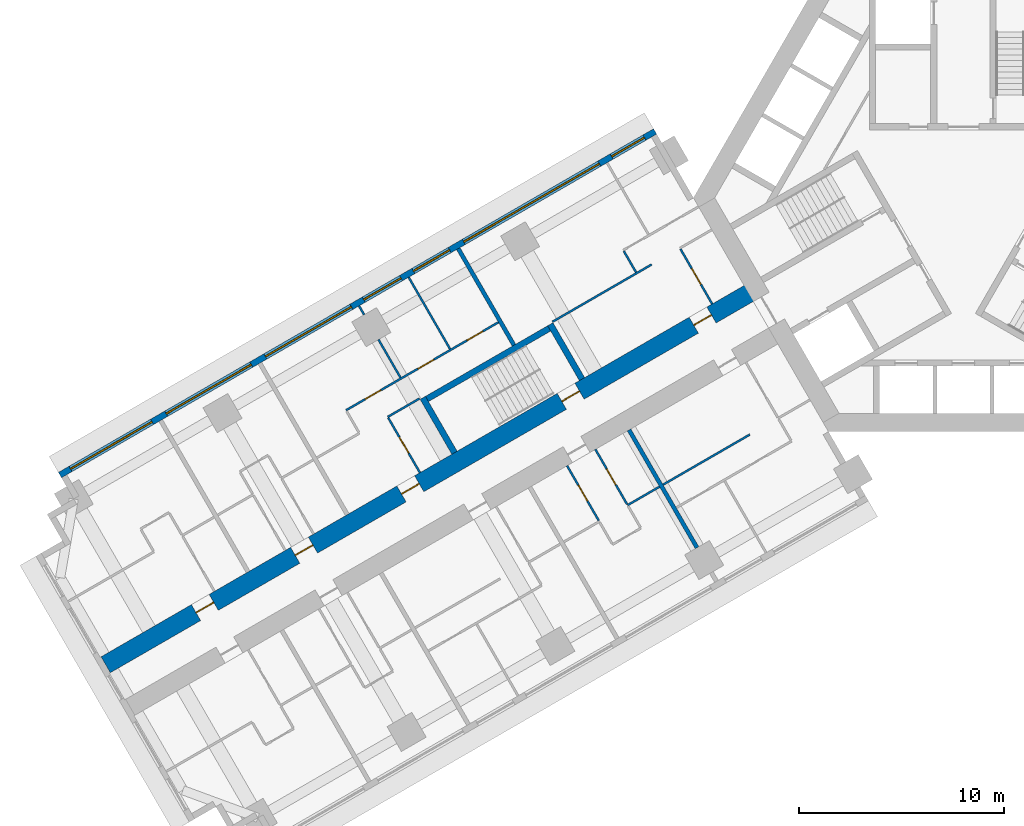
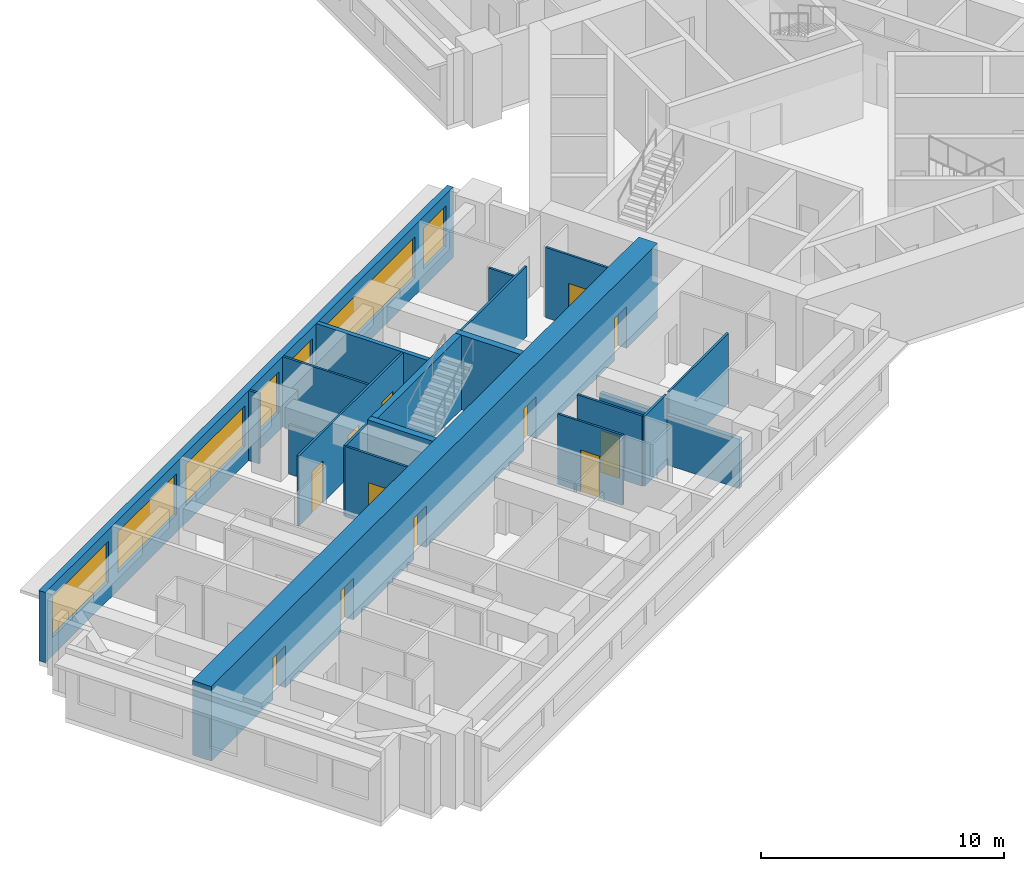
# One storey, part 5 of 16: 20 walls, 12 doors, 7 windows, 19 openings.
"""IFC4 building model written with IfcOpenShell, lengths in metres."""

from ifc_helpers import new_model, si_unit, direction, frame, frame_2d, origin, place, context, subcontext, project, spatial, rectangle, extrude, material, layer, layer_set, type_object, element, fill, save


model = new_model("IFC4")

# Units and contexts
model_context = context("Model", 3, precision=1e-05, world=origin(), true_north=direction((0.0, 1.0)))
body_context = subcontext(model_context, "Body", "Model", "MODEL_VIEW")
ifc_project = project(units=[si_unit("LENGTHUNIT", "METRE"), si_unit("AREAUNIT", "SQUARE_METRE"), si_unit("VOLUMEUNIT", "CUBIC_METRE"), si_unit("PLANEANGLEUNIT", "RADIAN"), si_unit("MASSUNIT", "GRAM", prefix="KILO")], contexts=[model_context])

# Site, building, storey
site_placement = place(None, origin())
site = spatial("IfcSite", under=ifc_project, at=site_placement, CompositionType="ELEMENT")
building_placement = place(site_placement, origin())
building = spatial("IfcBuilding", under=site, at=building_placement, Name="Impinga Residences", CompositionType="ELEMENT")
storey_placement = place(building_placement, frame((0.0, 0.0, 52.25)))
storey = spatial("IfcBuildingStorey", under=building, at=storey_placement, Name="L12", CompositionType="ELEMENT", Elevation=52.25)

# Wall, openings, doors
ifc_material_1 = material(Name="Concrete C70/85", Category="concrete")
ifc_layer_1 = layer(ifc_material_1, 0.89990234375)
ifc_layer_set_1 = layer_set([ifc_layer_1], Name="Concrete C70/85")
wall_type_1 = type_object("IfcWallType", Name="BW1 corridor buttress wall, L05 to L22 900", PredefinedType="SHEAR", material=ifc_layer_set_1)
wall_1_placement = place(storey_placement, frame((-10.1103515625, -4.451416015625, 0.0), z_axis=(0.0, 0.0, 1.0), x_axis=(-0.866025284237, -0.500000207062, 0.0)))
wall_1 = element("IfcWall", 1, at=wall_1_placement, inside=storey, type_object=wall_type_1, Name="Corridor wall BW1 WD L12", PredefinedType="SHEAR", context=body_context, shape_type="SweptSolid", body=[
    extrude(rectangle(XDim=36.75, YDim=0.89990234375, at=frame_2d((18.375, 0.0))), origin(), (0.0, 0.0, 1.0), 3.75),
])
opening_1_placement = place(wall_1_placement, frame((10.0, 0.0, 0.0)))
opening_1 = element("IfcOpeningElement", 2, at=opening_1_placement, cuts=wall_1, Name="Opening D5", PredefinedType="OPENING", context=body_context, shape_type="SweptSolid", body=[
    extrude(rectangle(XDim=1.0, YDim=2.10009765625, at=frame_2d((0.5, 1.050048828125))), frame((0.0, 0.4599609375, 0.0), z_axis=(0.0, -1.0, 0.0), x_axis=(1.0, 0.0, 0.0)), (0.0, 0.0, 1.0), 0.919921875),
])
opening_2_placement = place(wall_1_placement, frame((2.550048828125, 0.0, 0.0)))
opening_2 = element("IfcOpeningElement", 3, at=opening_2_placement, cuts=wall_1, Name="Opening D1", PredefinedType="OPENING", context=body_context, shape_type="SweptSolid", body=[
    extrude(rectangle(XDim=1.0, YDim=2.10009765625, at=frame_2d((0.5, 1.050048828125))), frame((0.0, 0.4599609375, 0.0), z_axis=(0.0, -1.0, 0.0), x_axis=(1.0, 0.0, 0.0)), (0.0, 0.0, 1.0), 0.919921875),
])
opening_3_placement = place(wall_1_placement, frame((19.050048828125, 0.0, 0.0)))
opening_3 = element("IfcOpeningElement", 4, at=opening_3_placement, cuts=wall_1, Name="Opening D1", PredefinedType="OPENING", context=body_context, shape_type="SweptSolid", body=[
    extrude(rectangle(XDim=1.0, YDim=2.10009765625, at=frame_2d((0.5, 1.050048828125))), frame((0.0, 0.4599609375, 0.0), z_axis=(0.0, -1.0, 0.0), x_axis=(1.0, 0.0, 0.0)), (0.0, 0.0, 1.0), 0.919921875),
])
opening_4_placement = place(wall_1_placement, frame((25.050048828125, 0.0, 0.0)))
opening_4 = element("IfcOpeningElement", 5, at=opening_4_placement, cuts=wall_1, Name="Opening D1", PredefinedType="OPENING", context=body_context, shape_type="SweptSolid", body=[
    extrude(rectangle(XDim=1.0, YDim=2.10009765625, at=frame_2d((0.5, 1.050048828125))), frame((0.0, 0.4599609375, 0.0), z_axis=(0.0, -1.0, 0.0), x_axis=(1.0, 0.0, 0.0)), (0.0, 0.0, 1.0), 0.919921875),
])
opening_5_placement = place(wall_1_placement, frame((30.64990234375, 0.0, 0.0)))
opening_5 = element("IfcOpeningElement", 6, at=opening_5_placement, cuts=wall_1, Name="Opening D1", PredefinedType="OPENING", context=body_context, shape_type="SweptSolid", body=[
    extrude(rectangle(XDim=1.0, YDim=2.10009765625, at=frame_2d((0.5, 1.050048828125))), frame((0.0, 0.4599609375, 0.0), z_axis=(0.0, -1.0, 0.0), x_axis=(1.0, 0.0, 0.0)), (0.0, 0.0, 1.0), 0.919921875),
])
ifc_material_2 = material(Name="Timber door set", Category="wood")
door_type_1 = type_object("IfcDoorType", Name="D1 apartment entrance door 1000x2100", OperationType="SINGLE_SWING_LEFT", PredefinedType="DOOR", material=ifc_material_2)
door_1_placement = place(opening_2_placement, origin())
door_1 = element("IfcDoor", 7, at=door_1_placement, inside=storey, type_object=door_type_1, Name="Apartment L12-WF1 entrance", OperationType="SINGLE_SWING_LEFT", OverallHeight=2.10009765625, OverallWidth=1.0, PredefinedType="DOOR", context=body_context, shape_type="SweptSolid", body=[
    extrude(rectangle(XDim=1.0, YDim=2.10009765625, at=frame_2d((0.5, 1.050048828125))), frame((0.0, 0.02490234375, 0.0), z_axis=(0.0, -1.0, 0.0), x_axis=(1.0, 0.0, 0.0)), (0.0, 0.0, 1.0), 0.050048828125),
])
fill(opening_2, door_1)
door_2_placement = place(opening_3_placement, origin())
door_2 = element("IfcDoor", 8, at=door_2_placement, inside=storey, type_object=door_type_1, Name="Apartment L12-WF2 entrance", OperationType="SINGLE_SWING_RIGHT", OverallHeight=2.10009765625, OverallWidth=1.0, PredefinedType="DOOR", context=body_context, shape_type="SweptSolid", body=[
    extrude(rectangle(XDim=1.0, YDim=2.10009765625, at=frame_2d((0.5, 1.050048828125))), frame((0.0, 0.02490234375, 0.0), z_axis=(0.0, -1.0, 0.0), x_axis=(1.0, 0.0, 0.0)), (0.0, 0.0, 1.0), 0.050048828125),
])
fill(opening_3, door_2)
door_3_placement = place(opening_4_placement, origin())
door_3 = element("IfcDoor", 9, at=door_3_placement, inside=storey, type_object=door_type_1, Name="Apartment L12-WF3 entrance", OperationType="SINGLE_SWING_RIGHT", OverallHeight=2.10009765625, OverallWidth=1.0, PredefinedType="DOOR", context=body_context, shape_type="SweptSolid", body=[
    extrude(rectangle(XDim=1.0, YDim=2.10009765625, at=frame_2d((0.5, 1.050048828125))), frame((0.0, 0.02490234375, 0.0), z_axis=(0.0, -1.0, 0.0), x_axis=(1.0, 0.0, 0.0)), (0.0, 0.0, 1.0), 0.050048828125),
])
fill(opening_4, door_3)
door_4_placement = place(opening_5_placement, origin())
door_4 = element("IfcDoor", 10, at=door_4_placement, inside=storey, type_object=door_type_1, Name="Apartment L12-WF4 entrance", OperationType="SINGLE_SWING_RIGHT", OverallHeight=2.10009765625, OverallWidth=1.0, PredefinedType="DOOR", context=body_context, shape_type="SweptSolid", body=[
    extrude(rectangle(XDim=1.0, YDim=2.10009765625, at=frame_2d((0.5, 1.050048828125))), frame((0.0, 0.02490234375, 0.0), z_axis=(0.0, -1.0, 0.0), x_axis=(1.0, 0.0, 0.0)), (0.0, 0.0, 1.0), 0.050048828125),
])
fill(opening_5, door_4)
door_type_2 = type_object("IfcDoorType", Name="D5 stair door 1000x2100", OperationType="SINGLE_SWING_LEFT", PredefinedType="DOOR", material=ifc_material_2)
door_5_placement = place(opening_1_placement, origin())
door_5 = element("IfcDoor", 11, at=door_5_placement, inside=storey, type_object=door_type_2, Name="Wing stair door W", OperationType="SINGLE_SWING_LEFT", OverallHeight=2.10009765625, OverallWidth=1.0, PredefinedType="DOOR", context=body_context, shape_type="SweptSolid", body=[
    extrude(rectangle(XDim=1.0, YDim=2.10009765625, at=frame_2d((0.5, 1.050048828125))), frame((0.0, 0.02490234375, 0.0), z_axis=(0.0, -1.0, 0.0), x_axis=(1.0, 0.0, 0.0)), (0.0, 0.0, 1.0), 0.050048828125),
])
fill(opening_1, door_5)

# Wall, openings, windows
ifc_material_3 = material(Name="Terracotta rainscreen on blockwork", Category="masonry")
ifc_layer_2 = layer(ifc_material_3, 0.300048828125)
ifc_layer_set_2 = layer_set([ifc_layer_2], Name="EW1 external wall, terracotta rainscreen on blockwork 300")
wall_type_2 = type_object("IfcWallType", Name="EW1 external wall, terracotta rainscreen on blockwork 300", PredefinedType="SOLIDWALL", material=ifc_layer_set_2)
wall_2_placement = place(storey_placement, frame((-44.17333984375, -13.552490234375, 0.0), z_axis=(0.0, 0.0, 1.0), x_axis=(0.866024291668, 0.500001926238, 0.0)))
wall_2 = element("IfcWall", 12, at=wall_2_placement, inside=storey, type_object=wall_type_2, Name="External wall EW1 L12", PredefinedType="SOLIDWALL", context=body_context, shape_type="SweptSolid", body=[
    extrude(rectangle(XDim=33.599853515625, YDim=0.300048828125, at=frame_2d((16.7998046875, 0.0))), origin(), (0.0, 0.0, 1.0), 3.530029296875),
])
opening_6_placement = place(wall_2_placement, frame((0.60009765625, 0.0, 0.89990234375)))
opening_6 = element("IfcOpeningElement", 13, at=opening_6_placement, cuts=wall_2, Name="Opening W3", PredefinedType="OPENING", context=body_context, shape_type="SweptSolid", body=[
    extrude(rectangle(XDim=4.60009765625, YDim=2.050048828125, at=frame_2d((2.300048828125, 1.02490234375))), frame((0.0, 0.159912109375, 0.0), z_axis=(0.0, -1.0, 0.0), x_axis=(1.0, 0.0, 0.0)), (0.0, 0.0, 1.0), 0.320068359375),
])
opening_7_placement = place(wall_2_placement, frame((6.0, 0.0, 0.89990234375)))
opening_7 = element("IfcOpeningElement", 14, at=opening_7_placement, cuts=wall_2, Name="Opening W8", PredefinedType="OPENING", context=body_context, shape_type="SweptSolid", body=[
    extrude(rectangle(XDim=4.800048828125, YDim=2.050048828125, at=frame_2d((2.39990234375, 1.02490234375))), frame((0.0, 0.159912109375, 0.0), z_axis=(0.0, -1.0, 0.0), x_axis=(1.0, 0.0, 0.0)), (0.0, 0.0, 1.0), 0.320068359375),
])
opening_8_placement = place(wall_2_placement, frame((11.60009765625, 0.0, 0.89990234375)))
opening_8 = element("IfcOpeningElement", 15, at=opening_8_placement, cuts=wall_2, Name="Opening W6", PredefinedType="OPENING", context=body_context, shape_type="SweptSolid", body=[
    extrude(rectangle(XDim=4.85009765625, YDim=2.050048828125, at=frame_2d((2.425048828125, 1.02490234375))), frame((0.0, 0.159912109375, 0.0), z_axis=(0.0, -1.0, 0.0), x_axis=(1.0, 0.0, 0.0)), (0.0, 0.0, 1.0), 0.320068359375),
])
opening_9_placement = place(wall_2_placement, frame((17.14990234375, 0.0, 0.89990234375)))
opening_9 = element("IfcOpeningElement", 16, at=opening_9_placement, cuts=wall_2, Name="Opening W9", PredefinedType="OPENING", context=body_context, shape_type="SweptSolid", body=[
    extrude(rectangle(XDim=2.10009765625, YDim=2.050048828125, at=frame_2d((1.050048828125, 1.02490234375))), frame((0.0, 0.159912109375, 0.0), z_axis=(0.0, -1.0, 0.0), x_axis=(1.0, 0.0, 0.0)), (0.0, 0.0, 1.0), 0.320068359375),
])
opening_10_placement = place(wall_2_placement, frame((19.949951171875, 0.0, 0.89990234375)))
opening_10 = element("IfcOpeningElement", 17, at=opening_10_placement, cuts=wall_2, Name="Opening W14", PredefinedType="OPENING", context=body_context, shape_type="SweptSolid", body=[
    extrude(rectangle(XDim=2.050048828125, YDim=2.050048828125, at=frame_2d((1.02490234375, 1.02490234375))), frame((0.0, 0.159912109375, 0.0), z_axis=(0.0, -1.0, 0.0), x_axis=(1.0, 0.0, 0.0)), (0.0, 0.0, 1.0), 0.320068359375),
])
opening_11_placement = place(wall_2_placement, frame((22.800048828125, 0.0, 0.89990234375)))
opening_11 = element("IfcOpeningElement", 18, at=opening_11_placement, cuts=wall_2, Name="Opening W13", PredefinedType="OPENING", context=body_context, shape_type="SweptSolid", body=[
    extrude(rectangle(XDim=7.64990234375, YDim=2.050048828125, at=frame_2d((3.824951171875, 1.02490234375))), frame((0.0, 0.159912109375, 0.0), z_axis=(0.0, -1.0, 0.0), x_axis=(1.0, 0.0, 0.0)), (0.0, 0.0, 1.0), 0.320068359375),
])
opening_12_placement = place(wall_2_placement, frame((31.14990234375, 0.0, 0.89990234375)))
opening_12 = element("IfcOpeningElement", 19, at=opening_12_placement, cuts=wall_2, Name="Opening W15", PredefinedType="OPENING", context=body_context, shape_type="SweptSolid", body=[
    extrude(rectangle(XDim=1.85009765625, YDim=2.050048828125, at=frame_2d((0.925048828125, 1.02490234375))), frame((0.0, 0.159912109375, 0.0), z_axis=(0.0, -1.0, 0.0), x_axis=(1.0, 0.0, 0.0)), (0.0, 0.0, 1.0), 0.320068359375),
])
ifc_material_4 = material(Name="Aluminium window, clear double glazing", Category="aluminium")
window_type_1 = type_object("IfcWindowType", Name="W13 ribbon window 7650x2050", PartitioningType="SINGLE_PANEL", PredefinedType="WINDOW", material=ifc_material_4)
window_1_placement = place(opening_11_placement, origin())
window_1 = element("IfcWindow", 20, at=window_1_placement, inside=storey, type_object=window_type_1, Name="Window L12", OverallHeight=2.050048828125, OverallWidth=7.64990234375, PartitioningType="SINGLE_PANEL", PredefinedType="WINDOW", context=body_context, shape_type="SweptSolid", body=[
    extrude(rectangle(XDim=7.64990234375, YDim=2.050048828125, at=frame_2d((3.824951171875, 1.02490234375))), frame((0.0, 0.030029296875, 0.0), z_axis=(0.0, -1.0, 0.0), x_axis=(1.0, 0.0, 0.0)), (0.0, 0.0, 1.0), 0.06005859375),
])
fill(opening_11, window_1)
window_type_2 = type_object("IfcWindowType", Name="W14 ribbon window 2050x2050", PartitioningType="SINGLE_PANEL", PredefinedType="WINDOW", material=ifc_material_4)
window_2_placement = place(opening_10_placement, origin())
window_2 = element("IfcWindow", 21, at=window_2_placement, inside=storey, type_object=window_type_2, Name="Window L12", OverallHeight=2.050048828125, OverallWidth=2.050048828125, PartitioningType="SINGLE_PANEL", PredefinedType="WINDOW", context=body_context, shape_type="SweptSolid", body=[
    extrude(rectangle(XDim=2.050048828125, YDim=2.050048828125, at=frame_2d((1.02490234375, 1.02490234375))), frame((0.0, 0.030029296875, 0.0), z_axis=(0.0, -1.0, 0.0), x_axis=(1.0, 0.0, 0.0)), (0.0, 0.0, 1.0), 0.06005859375),
])
fill(opening_10, window_2)
window_type_3 = type_object("IfcWindowType", Name="W15 ribbon window 1850x2050", PartitioningType="SINGLE_PANEL", PredefinedType="WINDOW", material=ifc_material_4)
window_3_placement = place(opening_12_placement, origin())
window_3 = element("IfcWindow", 22, at=window_3_placement, inside=storey, type_object=window_type_3, Name="Window L12", OverallHeight=2.050048828125, OverallWidth=1.85009765625, PartitioningType="SINGLE_PANEL", PredefinedType="WINDOW", context=body_context, shape_type="SweptSolid", body=[
    extrude(rectangle(XDim=1.85009765625, YDim=2.050048828125, at=frame_2d((0.925048828125, 1.02490234375))), frame((0.0, 0.030029296875, 0.0), z_axis=(0.0, -1.0, 0.0), x_axis=(1.0, 0.0, 0.0)), (0.0, 0.0, 1.0), 0.06005859375),
])
fill(opening_12, window_3)
window_type_4 = type_object("IfcWindowType", Name="W3 ribbon window 4600x2050", PartitioningType="SINGLE_PANEL", PredefinedType="WINDOW", material=ifc_material_4)
window_4_placement = place(opening_6_placement, origin())
window_4 = element("IfcWindow", 23, at=window_4_placement, inside=storey, type_object=window_type_4, Name="Window L12", OverallHeight=2.050048828125, OverallWidth=4.60009765625, PartitioningType="SINGLE_PANEL", PredefinedType="WINDOW", context=body_context, shape_type="SweptSolid", body=[
    extrude(rectangle(XDim=4.60009765625, YDim=2.050048828125, at=frame_2d((2.300048828125, 1.02490234375))), frame((0.0, 0.030029296875, 0.0), z_axis=(0.0, -1.0, 0.0), x_axis=(1.0, 0.0, 0.0)), (0.0, 0.0, 1.0), 0.06005859375),
])
fill(opening_6, window_4)
window_type_5 = type_object("IfcWindowType", Name="W6 ribbon window 4850x2050", PartitioningType="SINGLE_PANEL", PredefinedType="WINDOW", material=ifc_material_4)
window_5_placement = place(opening_8_placement, origin())
window_5 = element("IfcWindow", 24, at=window_5_placement, inside=storey, type_object=window_type_5, Name="Window L12", OverallHeight=2.050048828125, OverallWidth=4.85009765625, PartitioningType="SINGLE_PANEL", PredefinedType="WINDOW", context=body_context, shape_type="SweptSolid", body=[
    extrude(rectangle(XDim=4.85009765625, YDim=2.050048828125, at=frame_2d((2.425048828125, 1.02490234375))), frame((0.0, 0.030029296875, 0.0), z_axis=(0.0, -1.0, 0.0), x_axis=(1.0, 0.0, 0.0)), (0.0, 0.0, 1.0), 0.06005859375),
])
fill(opening_8, window_5)
window_type_6 = type_object("IfcWindowType", Name="W8 ribbon window 4800x2050", PartitioningType="SINGLE_PANEL", PredefinedType="WINDOW", material=ifc_material_4)
window_6_placement = place(opening_7_placement, origin())
window_6 = element("IfcWindow", 25, at=window_6_placement, inside=storey, type_object=window_type_6, Name="Window L12", OverallHeight=2.050048828125, OverallWidth=4.800048828125, PartitioningType="SINGLE_PANEL", PredefinedType="WINDOW", context=body_context, shape_type="SweptSolid", body=[
    extrude(rectangle(XDim=4.800048828125, YDim=2.050048828125, at=frame_2d((2.39990234375, 1.02490234375))), frame((0.0, 0.030029296875, 0.0), z_axis=(0.0, -1.0, 0.0), x_axis=(1.0, 0.0, 0.0)), (0.0, 0.0, 1.0), 0.06005859375),
])
fill(opening_7, window_6)
window_type_7 = type_object("IfcWindowType", Name="W9 ribbon window 2100x2050", PartitioningType="SINGLE_PANEL", PredefinedType="WINDOW", material=ifc_material_4)
window_7_placement = place(opening_9_placement, origin())
window_7 = element("IfcWindow", 26, at=window_7_placement, inside=storey, type_object=window_type_7, Name="Window L12", OverallHeight=2.050048828125, OverallWidth=2.10009765625, PartitioningType="SINGLE_PANEL", PredefinedType="WINDOW", context=body_context, shape_type="SweptSolid", body=[
    extrude(rectangle(XDim=2.10009765625, YDim=2.050048828125, at=frame_2d((1.050048828125, 1.02490234375))), frame((0.0, 0.030029296875, 0.0), z_axis=(0.0, -1.0, 0.0), x_axis=(1.0, 0.0, 0.0)), (0.0, 0.0, 1.0), 0.06005859375),
])
fill(opening_9, window_7)

# Walls
ifc_material_5 = material(Name="Gypsum board on steel studs", Category="steel")
ifc_layer_3 = layer(ifc_material_5, 0.10009765625)
ifc_layer_set_3 = layer_set([ifc_layer_3], Name="Gypsum board on steel studs")
wall_type_3 = type_object("IfcWallType", Name="IP1 partition 100", PredefinedType="PARTITIONING", material=ifc_layer_set_3)
wall_3_placement = place(storey_placement, frame((-10.444580078125, -11.57275390625, 0.0), z_axis=(0.0, 0.0, 1.0), x_axis=(-0.866023786258, -0.500002801628, 0.0)))
element("IfcWall", 27, at=wall_3_placement, inside=storey, type_object=wall_type_3, Name="Partition L12-WA1:DIV1", PredefinedType="PARTITIONING", context=body_context, shape_type="SweptSolid", body=[
    extrude(rectangle(XDim=4.89990234375, YDim=0.10009765625, at=frame_2d((2.449951171875, 0.0))), origin(), (0.0, 0.0, 1.0), 3.530029296875),
])
wall_4_placement = place(storey_placement, frame((-14.861328125, -14.122802734375, 0.0), z_axis=(0.0, 0.0, 1.0), x_axis=(-0.866047807691, -0.499961193289, 0.0)))
element("IfcWall", 28, at=wall_4_placement, inside=storey, type_object=wall_type_3, Name="Partition L12-WA2:DIV0", PredefinedType="PARTITIONING", context=body_context, shape_type="SweptSolid", body=[
    extrude(rectangle(XDim=1.800048828125, YDim=0.10009765625, at=frame_2d((0.89990234375, 0.0))), origin(), (0.0, 0.0, 1.0), 3.530029296875),
])

# Wall, opening, door
wall_5_placement = place(storey_placement, frame((-17.9951171875, -12.294677734375, 0.0), z_axis=(0.0, 0.0, 1.0), x_axis=(0.49999285859, -0.86602952684, 0.0)))
wall_5 = element("IfcWall", 29, at=wall_5_placement, inside=storey, type_object=wall_type_3, Name="Partition L12-WA2:IB1", PredefinedType="PARTITIONING", context=body_context, shape_type="SweptSolid", body=[
    extrude(rectangle(XDim=3.10009765625, YDim=0.10009765625, at=frame_2d((1.550048828125, 0.0))), origin(), (0.0, 0.0, 1.0), 3.530029296875),
])
opening_13_placement = place(wall_5_placement, frame((1.10009765625, 0.0, 0.0)))
opening_13 = element("IfcOpeningElement", 30, at=opening_13_placement, cuts=wall_5, Name="Opening D2", PredefinedType="OPENING", context=body_context, shape_type="SweptSolid", body=[
    extrude(rectangle(XDim=0.89990234375, YDim=2.10009765625, at=frame_2d((0.449951171875, 1.050048828125))), frame((0.0, 0.06005859375, 0.0), z_axis=(0.0, -1.0, 0.0), x_axis=(1.0, 0.0, 0.0)), (0.0, 0.0, 1.0), 0.1201171875),
])
door_type_3 = type_object("IfcDoorType", Name="D2 internal door 900x2100", OperationType="SINGLE_SWING_LEFT", PredefinedType="DOOR", material=ifc_material_2)
door_6_placement = place(opening_13_placement, origin())
door_6 = element("IfcDoor", 31, at=door_6_placement, inside=storey, type_object=door_type_3, Name="Apartment L12-WA2 bathroom door", OperationType="SINGLE_SWING_LEFT", OverallHeight=2.10009765625, OverallWidth=0.89990234375, PredefinedType="DOOR", context=body_context, shape_type="SweptSolid", body=[
    extrude(rectangle(XDim=0.89990234375, YDim=2.10009765625, at=frame_2d((0.449951171875, 1.050048828125))), frame((0.0, 0.02490234375, 0.0), z_axis=(0.0, -1.0, 0.0), x_axis=(1.0, 0.0, 0.0)), (0.0, 0.0, 1.0), 0.050048828125),
])
fill(opening_13, door_6)

wall_6_placement = place(storey_placement, frame((-19.380615234375, -13.0947265625, 0.0), z_axis=(0.0, 0.0, 1.0), x_axis=(0.499967891604, -0.866043940782, 0.0)))
wall_6 = element("IfcWall", 32, at=wall_6_placement, inside=storey, type_object=wall_type_3, Name="Partition L12-WA2:IB2", PredefinedType="PARTITIONING", context=body_context, shape_type="SweptSolid", body=[
    extrude(rectangle(XDim=3.099853515625, YDim=0.10009765625, at=frame_2d((1.5498046875, 0.0))), origin(), (0.0, 0.0, 1.0), 3.530029296875),
])
opening_14_placement = place(wall_6_placement, frame((1.10009765625, 0.0, 0.0)))
opening_14 = element("IfcOpeningElement", 33, at=opening_14_placement, cuts=wall_6, Name="Opening D2", PredefinedType="OPENING", context=body_context, shape_type="SweptSolid", body=[
    extrude(rectangle(XDim=0.89990234375, YDim=2.10009765625, at=frame_2d((0.449951171875, 1.050048828125))), frame((0.0, 0.06005859375, 0.0), z_axis=(0.0, -1.0, 0.0), x_axis=(1.0, 0.0, 0.0)), (0.0, 0.0, 1.0), 0.1201171875),
])
door_7_placement = place(opening_14_placement, origin())
door_7 = element("IfcDoor", 34, at=door_7_placement, inside=storey, type_object=door_type_3, Name="Apartment L12-WA2 WC door", OperationType="SINGLE_SWING_LEFT", OverallHeight=2.10009765625, OverallWidth=0.89990234375, PredefinedType="DOOR", context=body_context, shape_type="SweptSolid", body=[
    extrude(rectangle(XDim=0.89990234375, YDim=2.10009765625, at=frame_2d((0.449951171875, 1.050048828125))), frame((0.0, 0.02490234375, 0.0), z_axis=(0.0, -1.0, 0.0), x_axis=(1.0, 0.0, 0.0)), (0.0, 0.0, 1.0), 0.050048828125),
])
fill(opening_14, door_7)

# Walls
wall_7_placement = place(storey_placement, frame((-15.244384765625, -3.2587890625, 0.0), z_axis=(0.0, 0.0, 1.0), x_axis=(-0.866026594901, -0.49999793692, 0.0)))
element("IfcWall", 35, at=wall_7_placement, inside=storey, type_object=wall_type_3, Name="Partition L12-WF1:DIV1", PredefinedType="PARTITIONING", context=body_context, shape_type="SweptSolid", body=[
    extrude(rectangle(XDim=5.60009765625, YDim=0.10009765625, at=frame_2d((2.800048828125, 0.0))), origin(), (0.0, 0.0, 1.0), 3.530029296875),
])
wall_8_placement = place(storey_placement, frame((-16.005615234375, -3.640625, 0.0), z_axis=(0.0, 0.0, 1.0), x_axis=(-0.500033551112, 0.866006032174, 0.0)))
element("IfcWall", 36, at=wall_8_placement, inside=storey, type_object=wall_type_3, Name="Partition L12-WF1:SE1", PredefinedType="PARTITIONING", context=body_context, shape_type="SweptSolid", body=[
    extrude(rectangle(XDim=1.2001953125, YDim=0.10009765625, at=frame_2d((0.60009765625, 0.0))), origin(), (0.0, 0.0, 1.0), 3.530029296875),
])

# Wall, opening, door
wall_9_placement = place(storey_placement, frame((-12.283935546875, -5.186767578125, 0.0), z_axis=(0.0, 0.0, 1.0), x_axis=(-0.499967891604, 0.866043940782, 0.0)))
wall_9 = element("IfcWall", 37, at=wall_9_placement, inside=storey, type_object=wall_type_3, Name="Partition L12-WF1:IB1", PredefinedType="PARTITIONING", context=body_context, shape_type="SweptSolid", body=[
    extrude(rectangle(XDim=3.099853515625, YDim=0.10009765625, at=frame_2d((1.5498046875, 0.0))), origin(), (0.0, 0.0, 1.0), 3.530029296875),
])
opening_15_placement = place(wall_9_placement, frame((1.10009765625, 0.0, 0.0)))
opening_15 = element("IfcOpeningElement", 38, at=opening_15_placement, cuts=wall_9, Name="Opening D2", PredefinedType="OPENING", context=body_context, shape_type="SweptSolid", body=[
    extrude(rectangle(XDim=0.89990234375, YDim=2.10009765625, at=frame_2d((0.449951171875, 1.050048828125))), frame((0.0, 0.06005859375, 0.0), z_axis=(0.0, -1.0, 0.0), x_axis=(1.0, 0.0, 0.0)), (0.0, 0.0, 1.0), 0.1201171875),
])
door_8_placement = place(opening_15_placement, origin())
door_8 = element("IfcDoor", 39, at=door_8_placement, inside=storey, type_object=door_type_3, Name="Apartment L12-WF1 bathroom door", OperationType="SINGLE_SWING_LEFT", OverallHeight=2.10009765625, OverallWidth=0.89990234375, PredefinedType="DOOR", context=body_context, shape_type="SweptSolid", body=[
    extrude(rectangle(XDim=0.89990234375, YDim=2.10009765625, at=frame_2d((0.449951171875, 1.050048828125))), frame((0.0, 0.02490234375, 0.0), z_axis=(0.0, -1.0, 0.0), x_axis=(1.0, 0.0, 0.0)), (0.0, 0.0, 1.0), 0.050048828125),
])
fill(opening_15, door_8)

# Wall
wall_10_placement = place(storey_placement, frame((-26.58935546875, -9.808837890625, 0.0), z_axis=(0.0, 0.0, 1.0), x_axis=(-0.866047807691, -0.499961193289, 0.0)))
element("IfcWall", 40, at=wall_10_placement, inside=storey, type_object=wall_type_3, Name="Partition L12-WF2:DIV0", PredefinedType="PARTITIONING", context=body_context, shape_type="SweptSolid", body=[
    extrude(rectangle(XDim=1.800048828125, YDim=0.10009765625, at=frame_2d((0.89990234375, 0.0))), origin(), (0.0, 0.0, 1.0), 3.530029296875),
])

# Wall, openings, doors
wall_11_placement = place(storey_placement, frame((-22.736083984375, -6.0830078125, 0.0), z_axis=(0.0, 0.0, 1.0), x_axis=(-0.866021068297, -0.500007509209, 0.0)))
wall_11 = element("IfcWall", 41, at=wall_11_placement, inside=storey, type_object=wall_type_3, Name="Partition L12-WF2:STRIP", PredefinedType="PARTITIONING", context=body_context, shape_type="SweptSolid", body=[
    extrude(rectangle(XDim=8.599853515625, YDim=0.10009765625, at=frame_2d((4.2998046875, 0.0))), origin(), (0.0, 0.0, 1.0), 3.530029296875),
])
opening_16_placement = place(wall_11_placement, frame((0.875, 0.0, 0.0)))
opening_16 = element("IfcOpeningElement", 42, at=opening_16_placement, cuts=wall_11, Name="Opening D2", PredefinedType="OPENING", context=body_context, shape_type="SweptSolid", body=[
    extrude(rectangle(XDim=0.89990234375, YDim=2.10009765625, at=frame_2d((0.449951171875, 1.050048828125))), frame((0.0, 0.06005859375, 0.0), z_axis=(0.0, -1.0, 0.0), x_axis=(1.0, 0.0, 0.0)), (0.0, 0.0, 1.0), 0.1201171875),
])
opening_17_placement = place(wall_11_placement, frame((3.64990234375, 0.0, 0.0)))
opening_17 = element("IfcOpeningElement", 43, at=opening_17_placement, cuts=wall_11, Name="Opening D2", PredefinedType="OPENING", context=body_context, shape_type="SweptSolid", body=[
    extrude(rectangle(XDim=0.89990234375, YDim=2.10009765625, at=frame_2d((0.449951171875, 1.050048828125))), frame((0.0, 0.06005859375, 0.0), z_axis=(0.0, -1.0, 0.0), x_axis=(1.0, 0.0, 0.0)), (0.0, 0.0, 1.0), 0.1201171875),
])
opening_18_placement = place(wall_11_placement, frame((6.625, 0.0, 0.0)))
opening_18 = element("IfcOpeningElement", 44, at=opening_18_placement, cuts=wall_11, Name="Opening D2", PredefinedType="OPENING", context=body_context, shape_type="SweptSolid", body=[
    extrude(rectangle(XDim=0.89990234375, YDim=2.10009765625, at=frame_2d((0.449951171875, 1.050048828125))), frame((0.0, 0.06005859375, 0.0), z_axis=(0.0, -1.0, 0.0), x_axis=(1.0, 0.0, 0.0)), (0.0, 0.0, 1.0), 0.1201171875),
])
door_9_placement = place(opening_16_placement, origin())
door_9 = element("IfcDoor", 45, at=door_9_placement, inside=storey, type_object=door_type_3, Name="Apartment L12-WF2 room door", OperationType="SINGLE_SWING_LEFT", OverallHeight=2.10009765625, OverallWidth=0.89990234375, PredefinedType="DOOR", context=body_context, shape_type="SweptSolid", body=[
    extrude(rectangle(XDim=0.89990234375, YDim=2.10009765625, at=frame_2d((0.449951171875, 1.050048828125))), frame((0.0, 0.02490234375, 0.0), z_axis=(0.0, -1.0, 0.0), x_axis=(1.0, 0.0, 0.0)), (0.0, 0.0, 1.0), 0.050048828125),
])
fill(opening_16, door_9)
door_10_placement = place(opening_17_placement, origin())
door_10 = element("IfcDoor", 46, at=door_10_placement, inside=storey, type_object=door_type_3, Name="Apartment L12-WF2 room door", OperationType="SINGLE_SWING_LEFT", OverallHeight=2.10009765625, OverallWidth=0.89990234375, PredefinedType="DOOR", context=body_context, shape_type="SweptSolid", body=[
    extrude(rectangle(XDim=0.89990234375, YDim=2.10009765625, at=frame_2d((0.449951171875, 1.050048828125))), frame((0.0, 0.02490234375, 0.0), z_axis=(0.0, -1.0, 0.0), x_axis=(1.0, 0.0, 0.0)), (0.0, 0.0, 1.0), 0.050048828125),
])
fill(opening_17, door_10)
door_11_placement = place(opening_18_placement, origin())
door_11 = element("IfcDoor", 47, at=door_11_placement, inside=storey, type_object=door_type_3, Name="Apartment L12-WF2 room door", OperationType="SINGLE_SWING_RIGHT", OverallHeight=2.10009765625, OverallWidth=0.89990234375, PredefinedType="DOOR", context=body_context, shape_type="SweptSolid", body=[
    extrude(rectangle(XDim=0.89990234375, YDim=2.10009765625, at=frame_2d((0.449951171875, 1.050048828125))), frame((0.0, 0.02490234375, 0.0), z_axis=(0.0, -1.0, 0.0), x_axis=(1.0, 0.0, 0.0)), (0.0, 0.0, 1.0), 0.050048828125),
])
fill(opening_18, door_11)

# Wall, opening, door
wall_12_placement = place(storey_placement, frame((-26.5732421875, -13.436767578125, 0.0), z_axis=(0.0, 0.0, 1.0), x_axis=(-0.500026960575, 0.86600983753, 0.0)))
wall_12 = element("IfcWall", 48, at=wall_12_placement, inside=storey, type_object=wall_type_3, Name="Partition L12-WF2:IB1", PredefinedType="PARTITIONING", context=body_context, shape_type="SweptSolid", body=[
    extrude(rectangle(XDim=3.099853515625, YDim=0.10009765625, at=frame_2d((1.5498046875, 0.0))), origin(), (0.0, 0.0, 1.0), 3.530029296875),
])
opening_19_placement = place(wall_12_placement, frame((1.10009765625, 0.0, 0.0)))
opening_19 = element("IfcOpeningElement", 49, at=opening_19_placement, cuts=wall_12, Name="Opening D2", PredefinedType="OPENING", context=body_context, shape_type="SweptSolid", body=[
    extrude(rectangle(XDim=0.89990234375, YDim=2.10009765625, at=frame_2d((0.449951171875, 1.050048828125))), frame((0.0, 0.06005859375, 0.0), z_axis=(0.0, -1.0, 0.0), x_axis=(1.0, 0.0, 0.0)), (0.0, 0.0, 1.0), 0.1201171875),
])
door_12_placement = place(opening_19_placement, origin())
door_12 = element("IfcDoor", 50, at=door_12_placement, inside=storey, type_object=door_type_3, Name="Apartment L12-WF2 bathroom door", OperationType="SINGLE_SWING_LEFT", OverallHeight=2.10009765625, OverallWidth=0.89990234375, PredefinedType="DOOR", context=body_context, shape_type="SweptSolid", body=[
    extrude(rectangle(XDim=0.89990234375, YDim=2.10009765625, at=frame_2d((0.449951171875, 1.050048828125))), frame((0.0, 0.02490234375, 0.0), z_axis=(0.0, -1.0, 0.0), x_axis=(1.0, 0.0, 0.0)), (0.0, 0.0, 1.0), 0.050048828125),
])
fill(opening_19, door_12)

# Walls
wall_13_placement = place(storey_placement, frame((-25.099365234375, -7.3896484375, 0.0), z_axis=(0.0, 0.0, 1.0), x_axis=(-0.499990325971, 0.866030989016, 0.0)))
element("IfcWall", 51, at=wall_13_placement, inside=storey, type_object=wall_type_3, Name="Partition L12-WF2:OB1", PredefinedType="PARTITIONING", context=body_context, shape_type="SweptSolid", body=[
    extrude(rectangle(XDim=4.0498046875, YDim=0.10009765625, at=frame_2d((2.02490234375, 0.0))), origin(), (0.0, 0.0, 1.0), 3.530029296875),
])
wall_14_placement = place(storey_placement, frame((-27.524169921875, -8.789794921875, 0.0), z_axis=(0.0, 0.0, 1.0), x_axis=(-0.499961633463, 0.866047553582, 0.0)))
element("IfcWall", 52, at=wall_14_placement, inside=storey, type_object=wall_type_3, Name="Partition L12-WF2:OB2", PredefinedType="PARTITIONING", context=body_context, shape_type="SweptSolid", body=[
    extrude(rectangle(XDim=2.150146484375, YDim=0.10009765625, at=frame_2d((1.0751953125, 0.0))), origin(), (0.0, 0.0, 1.0), 2.47998046875),
])
wall_15_placement = place(storey_placement, frame((-29.29931640625, -5.71533203125, 0.0), z_axis=(0.0, 0.0, 1.0), x_axis=(-0.499919672301, 0.866071776036, 0.0)))
element("IfcWall", 53, at=wall_15_placement, inside=storey, type_object=wall_type_3, Name="Partition L12-WF2:OB2b", PredefinedType="PARTITIONING", context=body_context, shape_type="SweptSolid", body=[
    extrude(rectangle(XDim=0.5, YDim=0.10009765625, at=frame_2d((0.25, 0.0))), origin(), (0.0, 0.0, 1.0), 3.530029296875),
])
ifc_material_6 = material(Name="Concrete blockwork", Category="masonry")
ifc_layer_4 = layer(ifc_material_6, 0.199951171875)
ifc_layer_set_4 = layer_set([ifc_layer_4], Name="PW1 party wall between apartments 200")
wall_type_4 = type_object("IfcWallType", Name="PW1 party wall between apartments 200", PredefinedType="SOLIDWALL", material=ifc_layer_set_4)
wall_16_placement = place(storey_placement, frame((-16.349609375, -11.3447265625, 0.0), z_axis=(0.0, 0.0, 1.0), x_axis=(0.49999681972, -0.866027239912, 0.0)))
element("IfcWall", 54, at=wall_16_placement, inside=storey, type_object=wall_type_4, Name="Party wall between apartments L12-WA1:PARTY", PredefinedType="SOLIDWALL", context=body_context, shape_type="SweptSolid", body=[
    extrude(rectangle(XDim=6.64990234375, YDim=0.199951171875, at=frame_2d((3.324951171875, 0.0))), origin(), (0.0, 0.0, 1.0), 2.47998046875),
])
wall_17_placement = place(storey_placement, frame((-21.974365234375, -7.2021484375, 0.0), z_axis=(0.0, 0.0, 1.0), x_axis=(-0.500022328685, 0.866012511928, 0.0)))
element("IfcWall", 55, at=wall_17_placement, inside=storey, type_object=wall_type_4, Name="Party wall between apartments L12-WF1:PARTY", PredefinedType="SOLIDWALL", context=body_context, shape_type="SweptSolid", body=[
    extrude(rectangle(XDim=5.449951171875, YDim=0.199951171875, at=frame_2d((2.72509765625, 0.0))), origin(), (0.0, 0.0, 1.0), 3.530029296875),
])
ifc_material_7 = material(Name="Concrete C60/75", Category="concrete")
ifc_layer_5 = layer(ifc_material_7, 0.300048828125)
ifc_layer_set_5 = layer_set([ifc_layer_5], Name="Concrete C60/75")
wall_type_5 = type_object("IfcWallType", Name="SE1 wing stair enclosure wall 300", PredefinedType="SOLIDWALL", material=ifc_layer_set_5)
wall_18_placement = place(storey_placement, frame((-18.649169921875, -8.86181640625, 0.0), z_axis=(0.0, 0.0, 1.0), x_axis=(-0.500026960575, 0.86600983753, 0.0)))
element("IfcWall", 56, at=wall_18_placement, inside=storey, type_object=wall_type_5, Name="Stair enclosure wall SE1 W END0 L12", PredefinedType="SOLIDWALL", context=body_context, shape_type="SweptSolid", body=[
    extrude(rectangle(XDim=3.099853515625, YDim=0.300048828125, at=frame_2d((1.5498046875, 0.0))), origin(), (0.0, 0.0, 1.0), 3.75),
])
wall_19_placement = place(storey_placement, frame((-24.884521484375, -12.4619140625, 0.0), z_axis=(0.0, 0.0, 1.0), x_axis=(-0.49999285859, 0.86602952684, 0.0)))
element("IfcWall", 57, at=wall_19_placement, inside=storey, type_object=wall_type_5, Name="Stair enclosure wall SE1 W END1 L12", PredefinedType="SOLIDWALL", context=body_context, shape_type="SweptSolid", body=[
    extrude(rectangle(XDim=3.10009765625, YDim=0.300048828125, at=frame_2d((1.550048828125, 0.0))), origin(), (0.0, 0.0, 1.0), 3.75),
])
wall_20_placement = place(storey_placement, frame((-20.254150390625, -6.382080078125, 0.0), z_axis=(0.0, 0.0, 1.0), x_axis=(-0.866020008033, -0.500009345598, 0.0)))
element("IfcWall", 58, at=wall_20_placement, inside=storey, type_object=wall_type_5, Name="Stair enclosure wall SE1 W OUT L12", PredefinedType="SOLIDWALL", context=body_context, shape_type="SweptSolid", body=[
    extrude(rectangle(XDim=6.899658203125, YDim=0.300048828125, at=frame_2d((3.44970703125, 0.0))), origin(), (0.0, 0.0, 1.0), 3.75),
])

save(model, "model.ifc")
